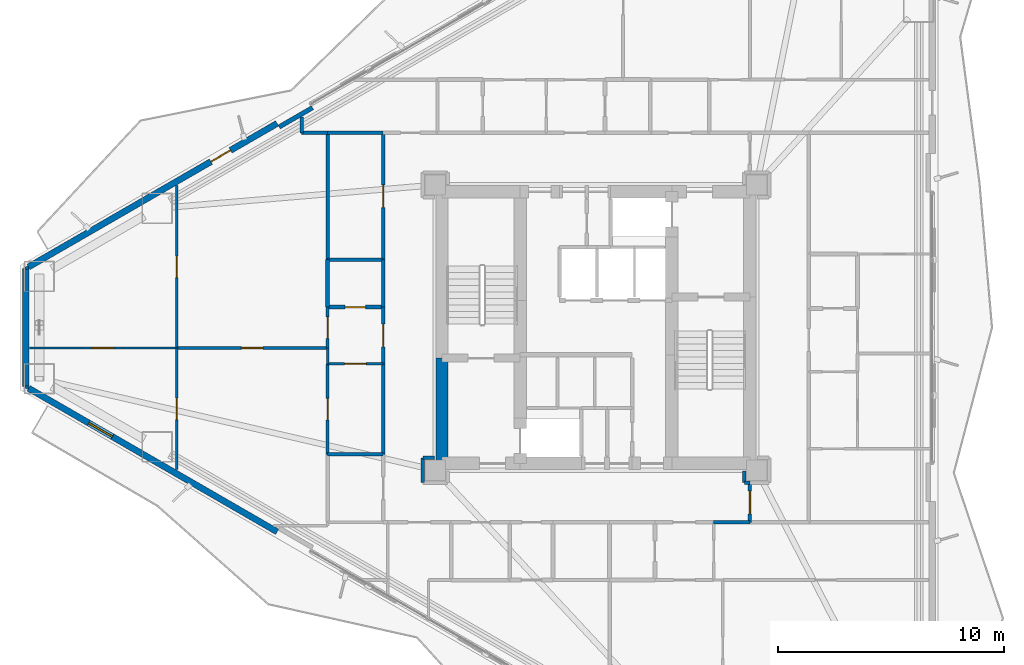
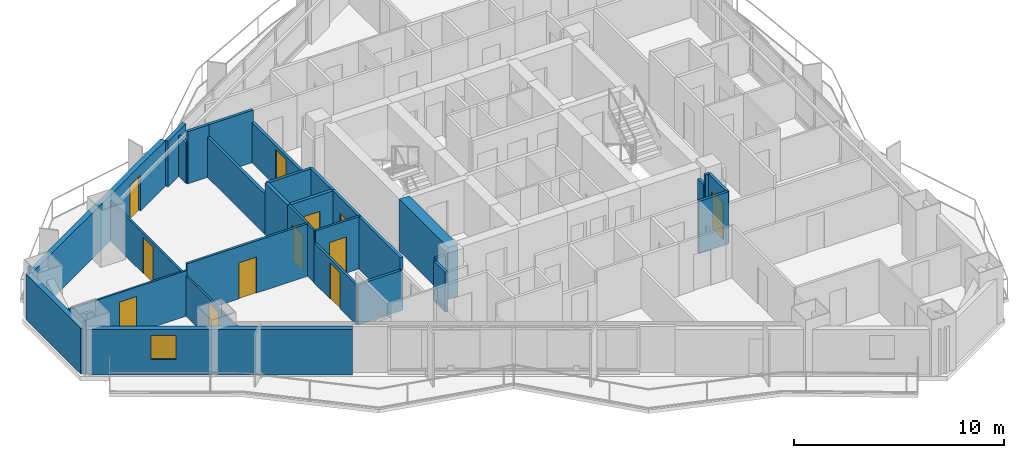
# One storey, part 13 of 19: 33 walls, 12 doors, 1 window, 13 openings.
"""IFC4 building model written with IfcOpenShell, lengths in metres."""

from ifc_helpers import new_model, si_unit, direction, frame, frame_2d, origin, place, context, subcontext, project, spatial, rectangle, extrude, material, layer, layer_set, type_object, element, fill, save


model = new_model("IFC4")

# Units and contexts
model_context = context("Model", 3, precision=1e-05, world=origin(), true_north=direction((0.0, 1.0)))
body_context = subcontext(model_context, "Body", "Model", "MODEL_VIEW")
ifc_project = project(units=[si_unit("LENGTHUNIT", "METRE"), si_unit("AREAUNIT", "SQUARE_METRE"), si_unit("VOLUMEUNIT", "CUBIC_METRE"), si_unit("PLANEANGLEUNIT", "RADIAN"), si_unit("MASSUNIT", "GRAM", prefix="KILO")], contexts=[model_context])

# Site, building, storey
site_placement = place(None, origin())
site = spatial("IfcSite", under=ifc_project, at=site_placement, CompositionType="ELEMENT")
building_placement = place(site_placement, origin())
building = spatial("IfcBuilding", under=site, at=building_placement, Name="Mersakhor Tower and Convention Hall", CompositionType="ELEMENT")
storey_placement = place(building_placement, frame((0.0, 0.0, 29.10009765625)))
storey = spatial("IfcBuildingStorey", under=building, at=storey_placement, Name="L07", CompositionType="ELEMENT", Elevation=29.10009765625)

# Wall
ifc_material_1 = material(Name="Precast concrete C45/55", Category="concrete")
ifc_layer_1 = layer(ifc_material_1, 0.27490234375)
ifc_layer_set_1 = layer_set([ifc_layer_1], Name="Precast concrete C45/55")
wall_type_1 = type_object("IfcWallType", Name="WL-EXT-275", PredefinedType="SOLIDWALL", material=ifc_layer_set_1)
wall_1_placement = place(storey_placement, frame((3.81298828125, 24.144287109375, 0.0), z_axis=(0.0, 0.0, 1.0), x_axis=(0.0, 1.0, 0.0)))
element("IfcWall", 1, at=wall_1_placement, inside=storey, type_object=wall_type_1, Name="L07 Chamfer Braced Spandrel Wall C3", PredefinedType="SOLIDWALL", context=body_context, shape_type="SweptSolid", body=[
    extrude(rectangle(XDim=5.21142578125, YDim=0.27490234375, at=frame_2d((2.605712890625, 0.0))), origin(), (0.0, 0.0, 1.0), 2.659912109375),
])

# Wall, opening, door
wall_2_placement = place(storey_placement, frame((3.943115234375, 29.4306640625, 0.0), z_axis=(0.0, 0.0, 1.0), x_axis=(0.866027105532, 0.499997052475, 0.0)))
wall_2 = element("IfcWall", 2, at=wall_2_placement, inside=storey, type_object=wall_type_1, Name="L07 Exterior Facade Wall F1-B1", PredefinedType="SOLIDWALL", context=body_context, shape_type="SweptSolid", body=[
    extrude(rectangle(XDim=12.6728515625, YDim=0.27490234375, at=frame_2d((6.33642578125, 0.0))), origin(), (0.0, 0.0, 1.0), 2.659912109375),
])
opening_1_placement = place(wall_2_placement, frame((9.298095703125, 0.0, 0.0)))
opening_1 = element("IfcOpeningElement", 3, at=opening_1_placement, cuts=wall_2, Name="Opening BD-01", PredefinedType="OPENING", context=body_context, shape_type="SweptSolid", body=[
    extrude(rectangle(XDim=1.0, YDim=2.10009765625, at=frame_2d((0.5, 1.050048828125))), frame((0.0, 0.1474609375, 0.0), z_axis=(0.0, -1.0, 0.0), x_axis=(1.0, 0.0, 0.0)), (0.0, 0.0, 1.0), 0.294921875),
])
ifc_material_2 = material(Name="Thermally broken dark aluminium and safety glass", Category="aluminium")
door_type_1 = type_object("IfcDoorType", Name="DR-BAL-100x210", OperationType="NOTDEFINED", PredefinedType="DOOR", material=ifc_material_2)
door_1_placement = place(opening_1_placement, origin())
door_1 = element("IfcDoor", 4, at=door_1_placement, inside=storey, type_object=door_type_1, Name="L07 Balcony Terrace Door F1-B1", OperationType="SINGLE_SWING_LEFT", OverallHeight=2.10009765625, OverallWidth=1.0, PredefinedType="DOOR", context=body_context, shape_type="SweptSolid", body=[
    extrude(rectangle(XDim=1.0, YDim=2.10009765625, at=frame_2d((0.5, 1.050048828125))), frame((0.0, 0.02490234375, 0.0), z_axis=(0.0, -1.0, 0.0), x_axis=(1.0, 0.0, 0.0)), (0.0, 0.0, 1.0), 0.050048828125),
])
fill(opening_1, door_1)

# Wall, opening, window
wall_3_placement = place(storey_placement, frame((14.918212890625, 17.73291015625, 0.0), z_axis=(0.0, 0.0, 1.0), x_axis=(-0.866027105532, 0.499997052475, 0.0)))
wall_3 = element("IfcWall", 5, at=wall_3_placement, inside=storey, type_object=wall_type_1, Name="L07 Exterior Facade Wall F3-B3", PredefinedType="SOLIDWALL", context=body_context, shape_type="SweptSolid", body=[
    extrude(rectangle(XDim=12.6728515625, YDim=0.27490234375, at=frame_2d((6.33642578125, 0.0))), origin(), (0.0, 0.0, 1.0), 2.659912109375),
])
opening_2_placement = place(wall_3_placement, frame((8.402099609375, 0.0, 0.89990234375)))
opening_2 = element("IfcOpeningElement", 6, at=opening_2_placement, cuts=wall_3, Name="Opening W-01", PredefinedType="OPENING", context=body_context, shape_type="SweptSolid", body=[
    extrude(rectangle(XDim=1.199951171875, YDim=1.39990234375, at=frame_2d((0.60009765625, 0.699951171875))), frame((0.0, 0.1474609375, 0.0), z_axis=(0.0, -1.0, 0.0), x_axis=(1.0, 0.0, 0.0)), (0.0, 0.0, 1.0), 0.294921875),
])
ifc_material_3 = material(Name="Dark solar low-E glazed aluminium window", Category="aluminium")
window_type = type_object("IfcWindowType", Name="WN-RES-120x150", PartitioningType="SINGLE_PANEL", PredefinedType="WINDOW", material=ifc_material_3)
window_placement = place(opening_2_placement, origin())
window = element("IfcWindow", 7, at=window_placement, inside=storey, type_object=window_type, Name="L07 Bedroom Facade Window F3-B3-1", OverallHeight=1.39990234375, OverallWidth=1.199951171875, PartitioningType="SINGLE_PANEL", PredefinedType="WINDOW", context=body_context, shape_type="SweptSolid", body=[
    extrude(rectangle(XDim=1.199951171875, YDim=1.39990234375, at=frame_2d((0.60009765625, 0.699951171875))), frame((0.0, 0.030029296875, 0.0), z_axis=(0.0, -1.0, 0.0), x_axis=(1.0, 0.0, 0.0)), (0.0, 0.0, 1.0), 0.06005859375),
])
fill(opening_2, window)

# Wall
ifc_material_4 = material(Name="Precast concrete C40/50", Category="concrete")
ifc_layer_2 = layer(ifc_material_4, 0.199951171875)
ifc_layer_set_2 = layer_set([ifc_layer_2], Name="Precast concrete C40/50")
wall_type_2 = type_object("IfcWallType", Name="WL-PAR-200", PredefinedType="PARAPET", material=ifc_layer_set_2)
wall_4_placement = place(storey_placement, frame((15.00830078125, 35.611328125, 0.0), z_axis=(0.0, 0.0, 1.0), x_axis=(0.86605165483, 0.499954529098, 0.0)))
element("IfcWall", 8, at=wall_4_placement, inside=storey, type_object=wall_type_2, Name="L07 Column Pier Cladding Wall F1-C1", PredefinedType="PARAPET", context=body_context, shape_type="SweptSolid", body=[
    extrude(rectangle(XDim=1.699951171875, YDim=0.199951171875, at=frame_2d((0.85009765625, 0.0))), origin(), (0.0, 0.0, 1.0), 2.659912109375),
])

# Wall, opening, door
ifc_material_5 = material(Name="Moisture-resistant acoustic drywall studwork", Category="other")
ifc_layer_3 = layer(ifc_material_5, 0.175048828125)
ifc_layer_set_3 = layer_set([ifc_layer_3], Name="Moisture-resistant acoustic drywall studwork")
wall_type_3 = type_object("IfcWallType", Name="WL-PLM-175", PredefinedType="PLUMBINGWALL", material=ifc_layer_set_3)
wall_5_placement = place(storey_placement, frame((17.14990234375, 27.64990234375, 0.0), z_axis=(0.0, 0.0, 1.0), x_axis=(1.0, 0.0, 0.0)))
wall_5 = element("IfcWall", 9, at=wall_5_placement, inside=storey, type_object=wall_type_3, Name="L07 Interior Partition Wall P-076", PredefinedType="PLUMBINGWALL", context=body_context, shape_type="SweptSolid", body=[
    extrude(rectangle(XDim=2.4501953125, YDim=0.175048828125, at=frame_2d((1.22509765625, 0.0))), origin(), (0.0, 0.0, 1.0), 3.039794921875),
])
opening_3_placement = place(wall_5_placement, frame((0.77490234375, 0.0, 0.0)))
opening_3 = element("IfcOpeningElement", 10, at=opening_3_placement, cuts=wall_5, Name="Opening WD-01", PredefinedType="OPENING", context=body_context, shape_type="SweptSolid", body=[
    extrude(rectangle(XDim=0.89990234375, YDim=2.10009765625, at=frame_2d((0.449951171875, 1.050048828125))), frame((0.0, 0.097412109375, 0.0), z_axis=(0.0, -1.0, 0.0), x_axis=(1.0, 0.0, 0.0)), (0.0, 0.0, 1.0), 0.195068359375),
])
ifc_material_6 = material(Name="Solid-core hardwood leaf in painted steel frame", Category="steel")
door_type_2 = type_object("IfcDoorType", Name="DR-INT-WET-090x210", OperationType="NOTDEFINED", PredefinedType="DOOR", material=ifc_material_6)
door_2_placement = place(opening_3_placement, origin())
door_2 = element("IfcDoor", 11, at=door_2_placement, inside=storey, type_object=door_type_2, Name="L07 L07 Flat W4 Apartment Hall to L07 Flat W4 Bathroom Door", OperationType="SINGLE_SWING_RIGHT", OverallHeight=2.10009765625, OverallWidth=0.89990234375, PredefinedType="DOOR", context=body_context, shape_type="SweptSolid", body=[
    extrude(rectangle(XDim=0.89990234375, YDim=2.10009765625, at=frame_2d((0.449951171875, 1.050048828125))), frame((0.0, 0.02490234375, 0.0), z_axis=(0.0, -1.0, 0.0), x_axis=(1.0, 0.0, 0.0)), (0.0, 0.0, 1.0), 0.050048828125),
])
fill(opening_3, door_2)

# Walls
wall_6_placement = place(storey_placement, frame((17.14990234375, 27.64990234375, 0.0), z_axis=(0.0, 0.0, 1.0), x_axis=(0.0, 1.0, 0.0)))
element("IfcWall", 12, at=wall_6_placement, inside=storey, type_object=wall_type_3, Name="L07 Interior Partition Wall P-097", PredefinedType="PLUMBINGWALL", context=body_context, shape_type="SweptSolid", body=[
    extrude(rectangle(XDim=2.10009765625, YDim=0.175048828125, at=frame_2d((1.050048828125, 0.0))), origin(), (0.0, 0.0, 1.0), 3.039794921875),
])
ifc_material_7 = material(Name="Lightweight gypsum partition", Category="other")
ifc_layer_4 = layer(ifc_material_7, 0.10009765625)
ifc_layer_set_4 = layer_set([ifc_layer_4], Name="Lightweight gypsum partition")
wall_type_4 = type_object("IfcWallType", Name="WL-PRT-100", PredefinedType="PARTITIONING", material=ifc_layer_set_4)
wall_7_placement = place(storey_placement, frame((17.14990234375, 25.14990234375, 0.0), z_axis=(0.0, 0.0, 1.0), x_axis=(0.0, 1.0, 0.0)))
element("IfcWall", 13, at=wall_7_placement, inside=storey, type_object=wall_type_4, Name="L07 Interior Partition Wall P-074", PredefinedType="PARTITIONING", context=body_context, shape_type="SweptSolid", body=[
    extrude(rectangle(XDim=0.7001953125, YDim=0.10009765625, at=frame_2d((0.35009765625, 0.0))), origin(), (0.0, 0.0, 1.0), 3.039794921875),
])

# Wall, opening, door
wall_8_placement = place(storey_placement, frame((10.47998046875, 25.85009765625, 0.0), z_axis=(0.0, 0.0, 1.0), x_axis=(-1.0, 0.0, 0.0)))
wall_8 = element("IfcWall", 14, at=wall_8_placement, inside=storey, type_object=wall_type_4, Name="L07 Interior Partition Wall P-138", PredefinedType="PARTITIONING", context=body_context, shape_type="SweptSolid", body=[
    extrude(rectangle(XDim=6.50537109375, YDim=0.10009765625, at=frame_2d((3.252685546875, 0.0))), origin(), (0.0, 0.0, 1.0), 2.650390625),
])
opening_4_placement = place(wall_8_placement, frame((2.777587890625, 0.0, 0.0)))
opening_4 = element("IfcOpeningElement", 15, at=opening_4_placement, cuts=wall_8, Name="Opening RD-01", PredefinedType="OPENING", context=body_context, shape_type="SweptSolid", body=[
    extrude(rectangle(XDim=0.949951171875, YDim=2.10009765625, at=frame_2d((0.47509765625, 1.050048828125))), frame((0.0, 0.06005859375, 0.0), z_axis=(0.0, -1.0, 0.0), x_axis=(1.0, 0.0, 0.0)), (0.0, 0.0, 1.0), 0.1201171875),
])
ifc_material_8 = material(Name="Solid-core hardwood leaf in painted steel frame", Category="steel")
door_type_3 = type_object("IfcDoorType", Name="DR-INT-RM-095x210", OperationType="NOTDEFINED", PredefinedType="DOOR", material=ifc_material_8)
door_3_placement = place(opening_4_placement, origin())
door_3 = element("IfcDoor", 16, at=door_3_placement, inside=storey, type_object=door_type_3, Name="L07 L07 Flat W4 Living and Dining Room to L07 Flat W4 Master Bedroom Door", OperationType="SINGLE_SWING_LEFT", OverallHeight=2.10009765625, OverallWidth=0.949951171875, PredefinedType="DOOR", context=body_context, shape_type="SweptSolid", body=[
    extrude(rectangle(XDim=0.949951171875, YDim=2.10009765625, at=frame_2d((0.47509765625, 1.050048828125))), frame((0.0, 0.02490234375, 0.0), z_axis=(0.0, -1.0, 0.0), x_axis=(1.0, 0.0, 0.0)), (0.0, 0.0, 1.0), 0.050048828125),
])
fill(opening_4, door_3)

wall_9_placement = place(storey_placement, frame((10.47998046875, 33.018310546875, 0.0), z_axis=(0.0, 0.0, 1.0), x_axis=(0.0, -1.0, 0.0)))
wall_9 = element("IfcWall", 17, at=wall_9_placement, inside=storey, type_object=wall_type_4, Name="L07 Interior Partition Wall P-140", PredefinedType="PARTITIONING", context=body_context, shape_type="SweptSolid", body=[
    extrude(rectangle(XDim=7.168212890625, YDim=0.10009765625, at=frame_2d((3.583984375, 0.0))), origin(), (0.0, 0.0, 1.0), 2.33740234375),
])
opening_5_placement = place(wall_9_placement, frame((3.109130859375, 0.0, 0.0)))
opening_5 = element("IfcOpeningElement", 18, at=opening_5_placement, cuts=wall_9, Name="Opening RD-01", PredefinedType="OPENING", context=body_context, shape_type="SweptSolid", body=[
    extrude(rectangle(XDim=0.949951171875, YDim=2.10009765625, at=frame_2d((0.47509765625, 1.050048828125))), frame((0.0, 0.06005859375, 0.0), z_axis=(0.0, -1.0, 0.0), x_axis=(1.0, 0.0, 0.0)), (0.0, 0.0, 1.0), 0.1201171875),
])
door_4_placement = place(opening_5_placement, origin())
door_4 = element("IfcDoor", 19, at=door_4_placement, inside=storey, type_object=door_type_3, Name="L07 L07 Flat W4 Living and Dining Room to L07 Flat W4 Dining Room Door", OperationType="SINGLE_SWING_RIGHT", OverallHeight=2.10009765625, OverallWidth=0.949951171875, PredefinedType="DOOR", context=body_context, shape_type="SweptSolid", body=[
    extrude(rectangle(XDim=0.949951171875, YDim=2.10009765625, at=frame_2d((0.47509765625, 1.050048828125))), frame((0.0, 0.02490234375, 0.0), z_axis=(0.0, -1.0, 0.0), x_axis=(1.0, 0.0, 0.0)), (0.0, 0.0, 1.0), 0.050048828125),
])
fill(opening_5, door_4)

wall_10_placement = place(storey_placement, frame((10.47998046875, 25.85009765625, 0.0), z_axis=(0.0, 0.0, 1.0), x_axis=(0.0, -1.0, 0.0)))
wall_10 = element("IfcWall", 20, at=wall_10_placement, inside=storey, type_object=wall_type_4, Name="L07 Interior Partition Wall P-142", PredefinedType="PARTITIONING", context=body_context, shape_type="SweptSolid", body=[
    extrude(rectangle(XDim=5.368408203125, YDim=0.10009765625, at=frame_2d((2.68408203125, 0.0))), origin(), (0.0, 0.0, 1.0), 2.33740234375),
])
opening_6_placement = place(wall_10_placement, frame((2.209228515625, 0.0, 0.0)))
opening_6 = element("IfcOpeningElement", 21, at=opening_6_placement, cuts=wall_10, Name="Opening RD-01", PredefinedType="OPENING", context=body_context, shape_type="SweptSolid", body=[
    extrude(rectangle(XDim=0.949951171875, YDim=2.10009765625, at=frame_2d((0.47509765625, 1.050048828125))), frame((0.0, 0.06005859375, 0.0), z_axis=(0.0, -1.0, 0.0), x_axis=(1.0, 0.0, 0.0)), (0.0, 0.0, 1.0), 0.1201171875),
])
door_5_placement = place(opening_6_placement, origin())
door_5 = element("IfcDoor", 22, at=door_5_placement, inside=storey, type_object=door_type_3, Name="L07 L07 Flat W4 Master Bedroom to L07 Flat W4 Dining Room Door", OperationType="SINGLE_SWING_LEFT", OverallHeight=2.10009765625, OverallWidth=0.949951171875, PredefinedType="DOOR", context=body_context, shape_type="SweptSolid", body=[
    extrude(rectangle(XDim=0.949951171875, YDim=2.10009765625, at=frame_2d((0.47509765625, 1.050048828125))), frame((0.0, 0.02490234375, 0.0), z_axis=(0.0, -1.0, 0.0), x_axis=(1.0, 0.0, 0.0)), (0.0, 0.0, 1.0), 0.050048828125),
])
fill(opening_6, door_5)

ifc_material_9 = material(Name="Gypsum board acoustic partition", Category="other")
ifc_layer_5 = layer(ifc_material_9, 0.125)
ifc_layer_set_5 = layer_set([ifc_layer_5], Name="Gypsum board acoustic partition")
wall_type_5 = type_object("IfcWallType", Name="WL-PRT-125", PredefinedType="PARTITIONING", material=ifc_layer_set_5)
wall_11_placement = place(storey_placement, frame((17.14990234375, 25.85009765625, 0.0), z_axis=(0.0, 0.0, 1.0), x_axis=(0.0, 1.0, 0.0)))
wall_11 = element("IfcWall", 23, at=wall_11_placement, inside=storey, type_object=wall_type_5, Name="L07 Interior Partition Wall P-075", PredefinedType="PARTITIONING", context=body_context, shape_type="SweptSolid", body=[
    extrude(rectangle(XDim=1.7998046875, YDim=0.125, at=frame_2d((0.89990234375, 0.0))), origin(), (0.0, 0.0, 1.0), 3.039794921875),
])
opening_7_placement = place(wall_11_placement, frame((0.425048828125, 0.0, 0.0)))
opening_7 = element("IfcOpeningElement", 24, at=opening_7_placement, cuts=wall_11, Name="Opening RD-01", PredefinedType="OPENING", context=body_context, shape_type="SweptSolid", body=[
    extrude(rectangle(XDim=0.949951171875, YDim=2.10009765625, at=frame_2d((0.47509765625, 1.050048828125))), frame((0.0, 0.072509765625, 0.0), z_axis=(0.0, -1.0, 0.0), x_axis=(1.0, 0.0, 0.0)), (0.0, 0.0, 1.0), 0.14501953125),
])
door_6_placement = place(opening_7_placement, origin())
door_6 = element("IfcDoor", 25, at=door_6_placement, inside=storey, type_object=door_type_3, Name="L07 L07 Flat W4 Apartment Hall to L07 Flat W4 Dining Room Door", OperationType="SINGLE_SWING_RIGHT", OverallHeight=2.10009765625, OverallWidth=0.949951171875, PredefinedType="DOOR", context=body_context, shape_type="SweptSolid", body=[
    extrude(rectangle(XDim=0.949951171875, YDim=2.10009765625, at=frame_2d((0.47509765625, 1.050048828125))), frame((0.0, 0.02490234375, 0.0), z_axis=(0.0, -1.0, 0.0), x_axis=(1.0, 0.0, 0.0)), (0.0, 0.0, 1.0), 0.050048828125),
])
fill(opening_7, door_6)

wall_12_placement = place(storey_placement, frame((19.60009765625, 25.14990234375, 0.0), z_axis=(0.0, 0.0, 1.0), x_axis=(-1.0, 0.0, 0.0)))
wall_12 = element("IfcWall", 26, at=wall_12_placement, inside=storey, type_object=wall_type_5, Name="L07 Interior Partition Wall P-077", PredefinedType="PARTITIONING", context=body_context, shape_type="SweptSolid", body=[
    extrude(rectangle(XDim=2.4501953125, YDim=0.125, at=frame_2d((1.22509765625, 0.0))), origin(), (0.0, 0.0, 1.0), 3.039794921875),
])
opening_8_placement = place(wall_12_placement, frame((0.75, 0.0, 0.0)))
opening_8 = element("IfcOpeningElement", 27, at=opening_8_placement, cuts=wall_12, Name="Opening RD-01", PredefinedType="OPENING", context=body_context, shape_type="SweptSolid", body=[
    extrude(rectangle(XDim=0.949951171875, YDim=2.10009765625, at=frame_2d((0.47509765625, 1.050048828125))), frame((0.0, 0.072509765625, 0.0), z_axis=(0.0, -1.0, 0.0), x_axis=(1.0, 0.0, 0.0)), (0.0, 0.0, 1.0), 0.14501953125),
])
door_7_placement = place(opening_8_placement, origin())
door_7 = element("IfcDoor", 28, at=door_7_placement, inside=storey, type_object=door_type_3, Name="L07 L07 Flat W4 Apartment Hall to L07 Flat W4 Kitchen Door", OperationType="SINGLE_SWING_LEFT", OverallHeight=2.10009765625, OverallWidth=0.949951171875, PredefinedType="DOOR", context=body_context, shape_type="SweptSolid", body=[
    extrude(rectangle(XDim=0.949951171875, YDim=2.10009765625, at=frame_2d((0.47509765625, 1.050048828125))), frame((0.0, 0.02490234375, 0.0), z_axis=(0.0, -1.0, 0.0), x_axis=(1.0, 0.0, 0.0)), (0.0, 0.0, 1.0), 0.050048828125),
])
fill(opening_8, door_7)

wall_13_placement = place(storey_placement, frame((17.14990234375, 21.14990234375, 0.0), z_axis=(0.0, 0.0, 1.0), x_axis=(0.0, 1.0, 0.0)))
wall_13 = element("IfcWall", 29, at=wall_13_placement, inside=storey, type_object=wall_type_5, Name="L07 Interior Partition Wall P-099", PredefinedType="PARTITIONING", context=body_context, shape_type="SweptSolid", body=[
    extrude(rectangle(XDim=4.0, YDim=0.125, at=frame_2d((2.0, 0.0))), origin(), (0.0, 0.0, 1.0), 2.33740234375),
])
opening_9_placement = place(wall_13_placement, frame((1.52490234375, 0.0, 0.0)))
opening_9 = element("IfcOpeningElement", 30, at=opening_9_placement, cuts=wall_13, Name="Opening RD-01", PredefinedType="OPENING", context=body_context, shape_type="SweptSolid", body=[
    extrude(rectangle(XDim=0.949951171875, YDim=2.10009765625, at=frame_2d((0.47509765625, 1.050048828125))), frame((0.0, 0.072509765625, 0.0), z_axis=(0.0, -1.0, 0.0), x_axis=(1.0, 0.0, 0.0)), (0.0, 0.0, 1.0), 0.14501953125),
])
door_8_placement = place(opening_9_placement, origin())
door_8 = element("IfcDoor", 31, at=door_8_placement, inside=storey, type_object=door_type_3, Name="L07 L07 Flat W4 Kitchen to L07 Flat W4 Dining Room Door", OperationType="SINGLE_SWING_RIGHT", OverallHeight=2.10009765625, OverallWidth=0.949951171875, PredefinedType="DOOR", context=body_context, shape_type="SweptSolid", body=[
    extrude(rectangle(XDim=0.949951171875, YDim=2.10009765625, at=frame_2d((0.47509765625, 1.050048828125))), frame((0.0, 0.02490234375, 0.0), z_axis=(0.0, -1.0, 0.0), x_axis=(1.0, 0.0, 0.0)), (0.0, 0.0, 1.0), 0.050048828125),
])
fill(opening_9, door_8)

# Wall
wall_14_placement = place(storey_placement, frame((3.81298828125, 29.35595703125, 0.0), z_axis=(0.0, 0.0, 1.0), x_axis=(0.866131372301, 0.499816412211, 0.0)))
element("IfcWall", 32, at=wall_14_placement, inside=storey, type_object=wall_type_5, Name="L07 Interior Partition Wall P-139", PredefinedType="PARTITIONING", context=body_context, shape_type="SweptSolid", body=[
    extrude(rectangle(XDim=0.14990234375, YDim=0.125, at=frame_2d((0.074951171875, 0.0))), origin(), (0.0, 0.0, 1.0), 3.039794921875),
])

# Wall, opening, door
wall_15_placement = place(storey_placement, frame((17.14990234375, 25.85009765625, 0.0), z_axis=(0.0, 0.0, 1.0), x_axis=(-1.0, 0.0, 0.0)))
wall_15 = element("IfcWall", 33, at=wall_15_placement, inside=storey, type_object=wall_type_5, Name="L07 Interior Partition Wall P-141", PredefinedType="PARTITIONING", context=body_context, shape_type="SweptSolid", body=[
    extrude(rectangle(XDim=6.669921875, YDim=0.125, at=frame_2d((3.3349609375, 0.0))), origin(), (0.0, 0.0, 1.0), 3.039794921875),
])
opening_10_placement = place(wall_15_placement, frame((2.860107421875, 0.0, 0.0)))
opening_10 = element("IfcOpeningElement", 34, at=opening_10_placement, cuts=wall_15, Name="Opening RD-01", PredefinedType="OPENING", context=body_context, shape_type="SweptSolid", body=[
    extrude(rectangle(XDim=0.949951171875, YDim=2.10009765625, at=frame_2d((0.47509765625, 1.050048828125))), frame((0.0, 0.072509765625, 0.0), z_axis=(0.0, -1.0, 0.0), x_axis=(1.0, 0.0, 0.0)), (0.0, 0.0, 1.0), 0.14501953125),
])
door_9_placement = place(opening_10_placement, origin())
door_9 = element("IfcDoor", 35, at=door_9_placement, inside=storey, type_object=door_type_3, Name="L07 L07 Flat W4 Dining Room to L07 Flat W4 Dining Room Door", OperationType="SINGLE_SWING_RIGHT", OverallHeight=2.10009765625, OverallWidth=0.949951171875, PredefinedType="DOOR", context=body_context, shape_type="SweptSolid", body=[
    extrude(rectangle(XDim=0.949951171875, YDim=2.10009765625, at=frame_2d((0.47509765625, 1.050048828125))), frame((0.0, 0.02490234375, 0.0), z_axis=(0.0, -1.0, 0.0), x_axis=(1.0, 0.0, 0.0)), (0.0, 0.0, 1.0), 0.050048828125),
])
fill(opening_10, door_9)

# Walls
wall_16_placement = place(storey_placement, frame((3.94287109375, 24.069091796875, 0.0), z_axis=(0.0, 0.0, 1.0), x_axis=(-0.866131372301, 0.499816412211, 0.0)))
element("IfcWall", 36, at=wall_16_placement, inside=storey, type_object=wall_type_5, Name="L07 Interior Partition Wall P-143", PredefinedType="PARTITIONING", context=body_context, shape_type="SweptSolid", body=[
    extrude(rectangle(XDim=0.14990234375, YDim=0.125, at=frame_2d((0.074951171875, 0.0))), origin(), (0.0, 0.0, 1.0), 3.039794921875),
])
ifc_material_10 = material(Name="Fire-rated gypsum board stud partition", Category="other")
ifc_layer_6 = layer(ifc_material_10, 0.14990234375)
ifc_layer_set_6 = layer_set([ifc_layer_6], Name="Fire-rated gypsum board stud partition")
wall_type_6 = type_object("IfcWallType", Name="WL-PRT-150", PredefinedType="PARTITIONING", material=ifc_layer_set_6)
wall_17_placement = place(storey_placement, frame((35.550048828125, 20.425048828125, 0.0), z_axis=(0.0, 0.0, 1.0), x_axis=(0.0, -1.0, 0.0)))
element("IfcWall", 37, at=wall_17_placement, inside=storey, type_object=wall_type_6, Name="L07 Interior Partition Wall P-023", PredefinedType="PARTITIONING", context=body_context, shape_type="SweptSolid", body=[
    extrude(rectangle(XDim=0.525146484375, YDim=0.14990234375, at=frame_2d((0.2626953125, 0.0))), origin(), (0.0, 0.0, 1.0), 2.48828125),
])
wall_18_placement = place(storey_placement, frame((35.550048828125, 19.89990234375, 0.0), z_axis=(0.0, 0.0, 1.0), x_axis=(1.0, 0.0, 0.0)))
element("IfcWall", 38, at=wall_18_placement, inside=storey, type_object=wall_type_6, Name="L07 Interior Partition Wall P-024", PredefinedType="PARTITIONING", context=body_context, shape_type="SweptSolid", body=[
    extrude(rectangle(XDim=0.25, YDim=0.14990234375, at=frame_2d((0.125, 0.0))), origin(), (0.0, 0.0, 1.0), 3.039794921875),
])

# Wall, opening, door
wall_19_placement = place(storey_placement, frame((35.800048828125, 19.89990234375, 0.0), z_axis=(0.0, 0.0, 1.0), x_axis=(0.0, -1.0, 0.0)))
wall_19 = element("IfcWall", 39, at=wall_19_placement, inside=storey, type_object=wall_type_6, Name="L07 Interior Partition Wall P-025", PredefinedType="PARTITIONING", context=body_context, shape_type="SweptSolid", body=[
    extrude(rectangle(XDim=1.75, YDim=0.14990234375, at=frame_2d((0.875, 0.0))), origin(), (0.0, 0.0, 1.0), 3.039794921875),
])
opening_11_placement = place(wall_19_placement, frame((0.375, 0.0, 0.0)))
opening_11 = element("IfcOpeningElement", 40, at=opening_11_placement, cuts=wall_19, Name="Opening FD-01", PredefinedType="OPENING", context=body_context, shape_type="SweptSolid", body=[
    extrude(rectangle(XDim=1.0, YDim=2.14990234375, at=frame_2d((0.5, 1.074951171875))), frame((0.0, 0.0849609375, 0.0), z_axis=(0.0, -1.0, 0.0), x_axis=(1.0, 0.0, 0.0)), (0.0, 0.0, 1.0), 0.169921875),
])
ifc_material_11 = material(Name="Fire-rated hardwood leaf and painted steel frame", Category="steel")
door_type_4 = type_object("IfcDoorType", Name="DR-INT-FLT-100x215", OperationType="NOTDEFINED", PredefinedType="DOOR", material=ifc_material_11)
door_10_placement = place(opening_11_placement, origin())
door_10 = element("IfcDoor", 41, at=door_10_placement, inside=storey, type_object=door_type_4, Name="L07 Ring Corridor Fire Door", OperationType="SINGLE_SWING_RIGHT", OverallHeight=2.14990234375, OverallWidth=1.0, PredefinedType="DOOR", context=body_context, shape_type="SweptSolid", body=[
    extrude(rectangle(XDim=1.0, YDim=2.14990234375, at=frame_2d((0.5, 1.074951171875))), frame((0.0, 0.02490234375, 0.0), z_axis=(0.0, -1.0, 0.0), x_axis=(1.0, 0.0, 0.0)), (0.0, 0.0, 1.0), 0.050048828125),
])
fill(opening_11, door_10)

# Walls
wall_20_placement = place(storey_placement, frame((35.800048828125, 18.14990234375, 0.0), z_axis=(0.0, 0.0, 1.0), x_axis=(-1.0, 0.0, 0.0)))
element("IfcWall", 42, at=wall_20_placement, inside=storey, type_object=wall_type_6, Name="L07 Interior Partition Wall P-026", PredefinedType="PARTITIONING", context=body_context, shape_type="SweptSolid", body=[
    extrude(rectangle(XDim=1.60009765625, YDim=0.14990234375, at=frame_2d((0.800048828125, 0.0))), origin(), (0.0, 0.0, 1.0), 3.039794921875),
])
wall_21_placement = place(storey_placement, frame((19.60009765625, 21.14990234375, 0.0), z_axis=(0.0, 0.0, 1.0), x_axis=(0.0, 1.0, 0.0)))
element("IfcWall", 43, at=wall_21_placement, inside=storey, type_object=wall_type_6, Name="L07 Interior Partition Wall P-035", PredefinedType="PARTITIONING", context=body_context, shape_type="SweptSolid", body=[
    extrude(rectangle(XDim=4.0, YDim=0.14990234375, at=frame_2d((2.0, 0.0))), origin(), (0.0, 0.0, 1.0), 3.039794921875),
])

# Wall, opening, door
wall_22_placement = place(storey_placement, frame((19.60009765625, 25.14990234375, 0.0), z_axis=(0.0, 0.0, 1.0), x_axis=(0.0, 1.0, 0.0)))
wall_22 = element("IfcWall", 44, at=wall_22_placement, inside=storey, type_object=wall_type_6, Name="L07 Interior Partition Wall P-036", PredefinedType="PARTITIONING", context=body_context, shape_type="SweptSolid", body=[
    extrude(rectangle(XDim=2.5, YDim=0.14990234375, at=frame_2d((1.25, 0.0))), origin(), (0.0, 0.0, 1.0), 3.039794921875),
])
opening_12_placement = place(wall_22_placement, frame((0.75, 0.0, 0.0)))
opening_12 = element("IfcOpeningElement", 45, at=opening_12_placement, cuts=wall_22, Name="Opening FD-01", PredefinedType="OPENING", context=body_context, shape_type="SweptSolid", body=[
    extrude(rectangle(XDim=1.0, YDim=2.14990234375, at=frame_2d((0.5, 1.074951171875))), frame((0.0, 0.0849609375, 0.0), z_axis=(0.0, -1.0, 0.0), x_axis=(1.0, 0.0, 0.0)), (0.0, 0.0, 1.0), 0.169921875),
])
door_11_placement = place(opening_12_placement, origin())
door_11 = element("IfcDoor", 46, at=door_11_placement, inside=storey, type_object=door_type_4, Name="L07 Apartment Entrance Door (Residential Ring Corridor to L07 Flat W4 Apartment Hall)", OperationType="SINGLE_SWING_RIGHT", OverallHeight=2.14990234375, OverallWidth=1.0, PredefinedType="DOOR", context=body_context, shape_type="SweptSolid", body=[
    extrude(rectangle(XDim=1.0, YDim=2.14990234375, at=frame_2d((0.5, 1.074951171875))), frame((0.0, 0.02490234375, 0.0), z_axis=(0.0, -1.0, 0.0), x_axis=(1.0, 0.0, 0.0)), (0.0, 0.0, 1.0), 0.050048828125),
])
fill(opening_12, door_11)

# Wall
wall_23_placement = place(storey_placement, frame((19.60009765625, 27.64990234375, 0.0), z_axis=(0.0, 0.0, 1.0), x_axis=(0.0, 1.0, 0.0)))
element("IfcWall", 47, at=wall_23_placement, inside=storey, type_object=wall_type_6, Name="L07 Interior Partition Wall P-037", PredefinedType="PARTITIONING", context=body_context, shape_type="SweptSolid", body=[
    extrude(rectangle(XDim=2.10009765625, YDim=0.14990234375, at=frame_2d((1.050048828125, 0.0))), origin(), (0.0, 0.0, 1.0), 3.039794921875),
])

# Wall, opening, door
wall_24_placement = place(storey_placement, frame((19.60009765625, 29.75, 0.0), z_axis=(0.0, 0.0, 1.0), x_axis=(0.0, 1.0, 0.0)))
wall_24 = element("IfcWall", 48, at=wall_24_placement, inside=storey, type_object=wall_type_6, Name="L07 Interior Partition Wall P-038", PredefinedType="PARTITIONING", context=body_context, shape_type="SweptSolid", body=[
    extrude(rectangle(XDim=5.60009765625, YDim=0.14990234375, at=frame_2d((2.800048828125, 0.0))), origin(), (0.0, 0.0, 1.0), 2.33740234375),
])
opening_13_placement = place(wall_24_placement, frame((2.300048828125, 0.0, 0.0)))
opening_13 = element("IfcOpeningElement", 49, at=opening_13_placement, cuts=wall_24, Name="Opening FD-01", PredefinedType="OPENING", context=body_context, shape_type="SweptSolid", body=[
    extrude(rectangle(XDim=1.0, YDim=2.14990234375, at=frame_2d((0.5, 1.074951171875))), frame((0.0, 0.0849609375, 0.0), z_axis=(0.0, -1.0, 0.0), x_axis=(1.0, 0.0, 0.0)), (0.0, 0.0, 1.0), 0.169921875),
])
door_12_placement = place(opening_13_placement, origin())
door_12 = element("IfcDoor", 50, at=door_12_placement, inside=storey, type_object=door_type_4, Name="L07 Residential Ring Corridor to L07 West Wing Shared Study Room Door", OperationType="SINGLE_SWING_LEFT", OverallHeight=2.14990234375, OverallWidth=1.0, PredefinedType="DOOR", context=body_context, shape_type="SweptSolid", body=[
    extrude(rectangle(XDim=1.0, YDim=2.14990234375, at=frame_2d((0.5, 1.074951171875))), frame((0.0, 0.02490234375, 0.0), z_axis=(0.0, -1.0, 0.0), x_axis=(1.0, 0.0, 0.0)), (0.0, 0.0, 1.0), 0.050048828125),
])
fill(opening_13, door_12)

# Walls
wall_25_placement = place(storey_placement, frame((21.875, 21.0, 0.0), z_axis=(0.0, 0.0, 1.0), x_axis=(-1.0, 0.0, 0.0)))
element("IfcWall", 51, at=wall_25_placement, inside=storey, type_object=wall_type_6, Name="L07 Interior Partition Wall P-053", PredefinedType="PARTITIONING", context=body_context, shape_type="SweptSolid", body=[
    extrude(rectangle(XDim=0.52490234375, YDim=0.14990234375, at=frame_2d((0.262451171875, 0.0))), origin(), (0.0, 0.0, 1.0), 2.48828125),
])
wall_26_placement = place(storey_placement, frame((21.35009765625, 21.0, 0.0), z_axis=(0.0, 0.0, 1.0), x_axis=(0.0, -1.0, 0.0)))
element("IfcWall", 52, at=wall_26_placement, inside=storey, type_object=wall_type_6, Name="L07 Interior Partition Wall P-054", PredefinedType="PARTITIONING", context=body_context, shape_type="SweptSolid", body=[
    extrude(rectangle(XDim=1.10009765625, YDim=0.14990234375, at=frame_2d((0.550048828125, 0.0))), origin(), (0.0, 0.0, 1.0), 2.33740234375),
])
wall_27_placement = place(storey_placement, frame((17.14990234375, 29.75, 0.0), z_axis=(0.0, 0.0, 1.0), x_axis=(1.0, 0.0, 0.0)))
element("IfcWall", 53, at=wall_27_placement, inside=storey, type_object=wall_type_6, Name="L07 Interior Partition Wall P-098", PredefinedType="PARTITIONING", context=body_context, shape_type="SweptSolid", body=[
    extrude(rectangle(XDim=2.4501953125, YDim=0.14990234375, at=frame_2d((1.22509765625, 0.0))), origin(), (0.0, 0.0, 1.0), 3.039794921875),
])
wall_28_placement = place(storey_placement, frame((19.60009765625, 21.14990234375, 0.0), z_axis=(0.0, 0.0, 1.0), x_axis=(-1.0, 0.0, 0.0)))
element("IfcWall", 54, at=wall_28_placement, inside=storey, type_object=wall_type_6, Name="L07 Interior Partition Wall P-100", PredefinedType="PARTITIONING", context=body_context, shape_type="SweptSolid", body=[
    extrude(rectangle(XDim=2.4501953125, YDim=0.14990234375, at=frame_2d((1.22509765625, 0.0))), origin(), (0.0, 0.0, 1.0), 2.33740234375),
])
wall_29_placement = place(storey_placement, frame((19.60009765625, 35.35009765625, 0.0), z_axis=(0.0, 0.0, 1.0), x_axis=(-1.0, 0.0, 0.0)))
element("IfcWall", 55, at=wall_29_placement, inside=storey, type_object=wall_type_6, Name="L07 Interior Partition Wall P-108", PredefinedType="PARTITIONING", context=body_context, shape_type="SweptSolid", body=[
    extrude(rectangle(XDim=2.4501953125, YDim=0.14990234375, at=frame_2d((1.22509765625, 0.0))), origin(), (0.0, 0.0, 1.0), 3.039794921875),
])
wall_30_placement = place(storey_placement, frame((17.14990234375, 35.35009765625, 0.0), z_axis=(0.0, 0.0, 1.0), x_axis=(-1.0, 0.0, 0.0)))
element("IfcWall", 56, at=wall_30_placement, inside=storey, type_object=wall_type_6, Name="L07 Interior Partition Wall P-109", PredefinedType="PARTITIONING", context=body_context, shape_type="SweptSolid", body=[
    extrude(rectangle(XDim=1.14990234375, YDim=0.14990234375, at=frame_2d((0.574951171875, 0.0))), origin(), (0.0, 0.0, 1.0), 3.039794921875),
])
wall_31_placement = place(storey_placement, frame((16.0, 35.35009765625, 0.0), z_axis=(0.0, 0.0, 1.0), x_axis=(0.0, 1.0, 0.0)))
element("IfcWall", 57, at=wall_31_placement, inside=storey, type_object=wall_type_6, Name="L07 Interior Partition Wall P-110", PredefinedType="PARTITIONING", context=body_context, shape_type="SweptSolid", body=[
    extrude(rectangle(XDim=0.690673828125, YDim=0.14990234375, at=frame_2d((0.34521484375, 0.0))), origin(), (0.0, 0.0, 1.0), 2.364990234375),
])
wall_32_placement = place(storey_placement, frame((17.14990234375, 29.75, 0.0), z_axis=(0.0, 0.0, 1.0), x_axis=(0.0, 1.0, 0.0)))
element("IfcWall", 58, at=wall_32_placement, inside=storey, type_object=wall_type_6, Name="L07 Interior Partition Wall P-112", PredefinedType="PARTITIONING", context=body_context, shape_type="SweptSolid", body=[
    extrude(rectangle(XDim=5.60009765625, YDim=0.14990234375, at=frame_2d((2.800048828125, 0.0))), origin(), (0.0, 0.0, 1.0), 2.33740234375),
])
ifc_material_12 = material(Name="Concrete C70/85", Category="concrete")
ifc_layer_7 = layer(ifc_material_12, 0.550048828125)
ifc_layer_set_7 = layer_set([ifc_layer_7], Name="Concrete C70/85")
wall_type_7 = type_object("IfcWallType", Name="WL-SHR-550", PredefinedType="SHEAR", material=ifc_layer_set_7)
wall_33_placement = place(storey_placement, frame((22.199951171875, 20.75, 0.0), z_axis=(0.0, 0.0, 1.0), x_axis=(0.0, 1.0, 0.0)))
element("IfcWall", 59, at=wall_33_placement, inside=storey, type_object=wall_type_7, Name="L07 Core Wall CW-W1", PredefinedType="SHEAR", context=body_context, shape_type="SweptSolid", body=[
    extrude(rectangle(XDim=4.64990234375, YDim=0.550048828125, at=frame_2d((2.324951171875, 0.0))), origin(), (0.0, 0.0, 1.0), 3.039794921875),
])

save(model, "model.ifc")
